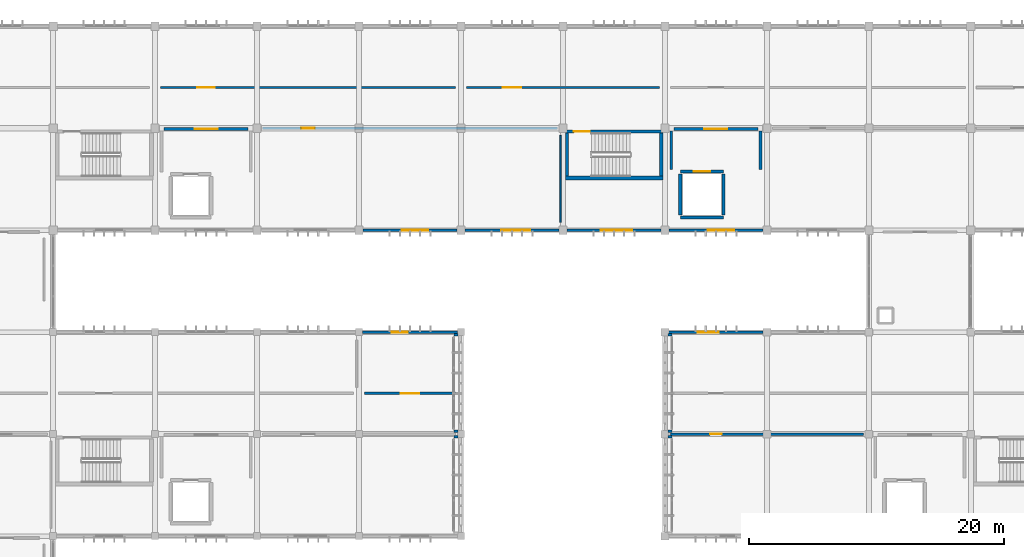
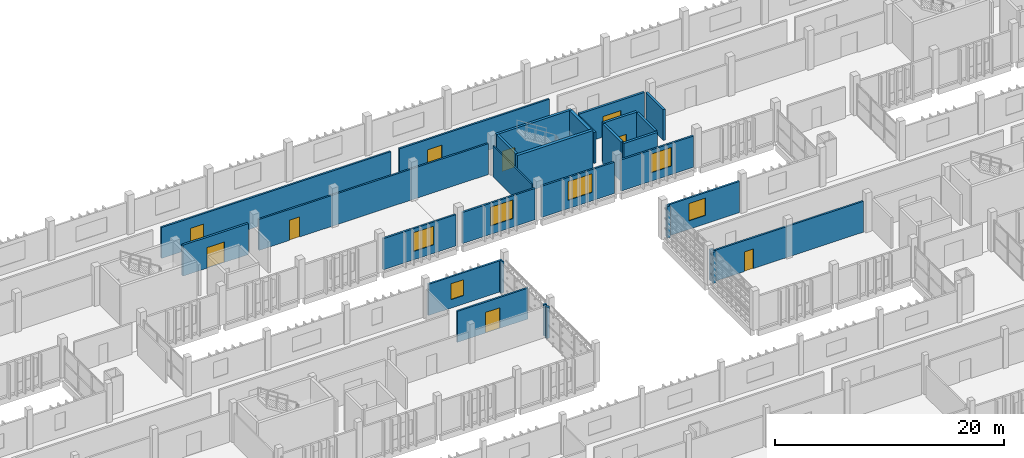
# One storey, part 49 of 63: 30 walls, 9 doors, 6 windows, 15 openings.
"""IFC4 building model written with IfcOpenShell, lengths in metres."""

from ifc_helpers import new_model, si_unit, direction, frame, frame_2d, origin, place, context, subcontext, project, spatial, rectangle, extrude, material, layer, layer_set, type_object, element, fill, save


model = new_model("IFC4")

# Units and contexts
model_context = context("Model", 3, precision=1e-05, world=origin(), true_north=direction((0.0, 1.0)))
body_context = subcontext(model_context, "Body", "Model", "MODEL_VIEW")
ifc_project = project(units=[si_unit("LENGTHUNIT", "METRE"), si_unit("AREAUNIT", "SQUARE_METRE"), si_unit("VOLUMEUNIT", "CUBIC_METRE"), si_unit("PLANEANGLEUNIT", "RADIAN"), si_unit("MASSUNIT", "GRAM", prefix="KILO")], contexts=[model_context])

# Site, building, storey
site_placement = place(None, origin())
site = spatial("IfcSite", under=ifc_project, at=site_placement, CompositionType="ELEMENT")
building_placement = place(site_placement, origin())
building = spatial("IfcBuilding", under=site, at=building_placement, Name="Jelvoka-Kovrelna Polytechnic", CompositionType="ELEMENT")
storey_placement = place(building_placement, frame((0.0, 0.0, 18.0)))
storey = spatial("IfcBuildingStorey", under=building, at=storey_placement, Name="L05", CompositionType="ELEMENT", Elevation=18.0)

# Wall, opening, door
ifc_material_1 = material(Name="Concrete C35/45", Category="concrete")
ifc_layer_1 = layer(ifc_material_1, 0.219970703125)
ifc_layer_set_1 = layer_set([ifc_layer_1], Name="Concrete C35/45")
wall_type_1 = type_object("IfcWallType", Name="Wall_Compartment_220", PredefinedType="PARTITIONING", material=ifc_layer_set_1)
wall_1_placement = place(storey_placement, frame((88.699951171875, 63.949951171875, 0.0), z_axis=(0.0, 0.0, 1.0), x_axis=(1.0, 0.0, 0.0)))
wall_1 = element("IfcWall", 1, at=wall_1_placement, inside=storey, type_object=wall_type_1, Name="L05 interior wall 0296", PredefinedType="PARTITIONING", context=body_context, shape_type="SweptSolid", body=[
    extrude(rectangle(XDim=6.60009765625, YDim=0.219970703125, at=frame_2d((3.300048828125, 0.0))), origin(), (0.0, 0.0, 1.0), 3.300048828125),
])
opening_1_placement = place(wall_1_placement, frame((2.39990234375, 0.0, 0.0)))
opening_1 = element("IfcOpeningElement", 2, at=opening_1_placement, cuts=wall_1, Name="Opening FD-L05-069", PredefinedType="OPENING", context=body_context, shape_type="SweptSolid", body=[
    extrude(rectangle(XDim=1.800048828125, YDim=2.199951171875, at=frame_2d((0.89990234375, 1.10009765625))), frame((0.0, 0.119873046875, 0.0), z_axis=(0.0, -1.0, 0.0), x_axis=(1.0, 0.0, 0.0)), (0.0, 0.0, 1.0), 0.239990234375),
])
ifc_material_2 = material(Name="Paired steel corridor fire door", Category="steel")
door_type_1 = type_object("IfcDoorType", Name="Door_Fire_FD03", OperationType="NOTDEFINED", PredefinedType="DOOR", material=ifc_material_2)
door_1_placement = place(opening_1_placement, origin())
door_1 = element("IfcDoor", 3, at=door_1_placement, inside=storey, type_object=door_type_1, Name="L05 interior door FD-L05-069", OperationType="DOUBLE_DOOR_SINGLE_SWING", OverallHeight=2.199951171875, OverallWidth=1.800048828125, PredefinedType="DOOR", context=body_context, shape_type="SweptSolid", body=[
    extrude(rectangle(XDim=1.800048828125, YDim=2.199951171875, at=frame_2d((0.89990234375, 1.10009765625))), frame((0.0, 0.02490234375, 0.0), z_axis=(0.0, -1.0, 0.0), x_axis=(1.0, 0.0, 0.0)), (0.0, 0.0, 1.0), 0.050048828125),
])
fill(opening_1, door_1)

wall_2_placement = place(storey_placement, frame((128.699951171875, 63.949951171875, 0.0), z_axis=(0.0, 0.0, 1.0), x_axis=(1.0, 0.0, 0.0)))
wall_2 = element("IfcWall", 4, at=wall_2_placement, inside=storey, type_object=wall_type_1, Name="L05 interior wall 0667", PredefinedType="PARTITIONING", context=body_context, shape_type="SweptSolid", body=[
    extrude(rectangle(XDim=6.60009765625, YDim=0.219970703125, at=frame_2d((3.300048828125, 0.0))), origin(), (0.0, 0.0, 1.0), 3.300048828125),
])
opening_2_placement = place(wall_2_placement, frame((2.39990234375, 0.0, 0.0)))
opening_2 = element("IfcOpeningElement", 5, at=opening_2_placement, cuts=wall_2, Name="Opening FD-L05-114", PredefinedType="OPENING", context=body_context, shape_type="SweptSolid", body=[
    extrude(rectangle(XDim=1.800048828125, YDim=2.199951171875, at=frame_2d((0.89990234375, 1.10009765625))), frame((0.0, 0.119873046875, 0.0), z_axis=(0.0, -1.0, 0.0), x_axis=(1.0, 0.0, 0.0)), (0.0, 0.0, 1.0), 0.239990234375),
])
door_2_placement = place(opening_2_placement, origin())
door_2 = element("IfcDoor", 6, at=door_2_placement, inside=storey, type_object=door_type_1, Name="L05 interior door FD-L05-114", OperationType="DOUBLE_DOOR_SINGLE_SWING", OverallHeight=2.199951171875, OverallWidth=1.800048828125, PredefinedType="DOOR", context=body_context, shape_type="SweptSolid", body=[
    extrude(rectangle(XDim=1.800048828125, YDim=2.199951171875, at=frame_2d((0.89990234375, 1.10009765625))), frame((0.0, 0.02490234375, 0.0), z_axis=(0.0, -1.0, 0.0), x_axis=(1.0, 0.0, 0.0)), (0.0, 0.0, 1.0), 0.050048828125),
])
fill(opening_2, door_2)

# Walls
for number, where, z_axis, x_axis, name in (
    (7, (128.5, 60.75, 0.0), (0.0, 0.0, 1.0), (0.0, 1.0, 0.0), "L05 interior wall 0668"),
    (8, (135.5, 60.75, 0.0), (0.0, 0.0, 1.0), (0.0, 1.0, 0.0), "L05 interior wall 0669"),
):
    element("IfcWall", number, at=place(storey_placement, frame(where, z_axis=z_axis, x_axis=x_axis)), inside=storey, type_object=wall_type_1, Name=name, PredefinedType="PARTITIONING", context=body_context, shape_type="SweptSolid", body=[
        extrude(rectangle(XDim=3.050048828125, YDim=0.219970703125, at=frame_2d((1.52490234375, 0.0))), origin(), (0.0, 0.0, 1.0), 3.300048828125),
    ])

# Wall, opening, door
ifc_material_3 = material(Name="Concrete C40/50", Category="concrete")
ifc_layer_2 = layer(ifc_material_3, 0.25)
ifc_layer_set_2 = layer_set([ifc_layer_2], Name="Concrete C40/50")
wall_type_2 = type_object("IfcWallType", Name="Wall_Core_250", PredefinedType="SOLIDWALL", material=ifc_layer_set_2)
wall_3_placement = place(storey_placement, frame((120.199951171875, 63.739990234375, 0.0), z_axis=(0.0, 0.0, 1.0), x_axis=(1.0, 0.0, 0.0)))
wall_3 = element("IfcWall", 9, at=wall_3_placement, inside=storey, type_object=wall_type_2, Name="L05 interior wall 0239", PredefinedType="SOLIDWALL", context=body_context, shape_type="SweptSolid", body=[
    extrude(rectangle(XDim=7.650146484375, YDim=0.25, at=frame_2d((3.8251953125, 0.0))), origin(), (0.0, 0.0, 1.0), 4.199951171875),
])
opening_3_placement = place(wall_3_placement, frame((0.64990234375, 0.0, 0.0)))
opening_3 = element("IfcOpeningElement", 10, at=opening_3_placement, cuts=wall_3, Name="Opening SD-L05-060", PredefinedType="OPENING", context=body_context, shape_type="SweptSolid", body=[
    extrude(rectangle(XDim=1.25, YDim=2.14990234375, at=frame_2d((0.625, 1.074951171875))), frame((0.0, 0.135009765625, 0.0), z_axis=(0.0, -1.0, 0.0), x_axis=(1.0, 0.0, 0.0)), (0.0, 0.0, 1.0), 0.27001953125),
])
ifc_material_4 = material(Name="Powder-coated steel fire door", Category="steel")
door_type_2 = type_object("IfcDoorType", Name="Door_Fire_FD02", OperationType="NOTDEFINED", PredefinedType="DOOR", material=ifc_material_4)
door_3_placement = place(opening_3_placement, origin())
door_3 = element("IfcDoor", 11, at=door_3_placement, inside=storey, type_object=door_type_2, Name="L05 interior door SD-L05-060", OperationType="SINGLE_SWING_LEFT", OverallHeight=2.14990234375, OverallWidth=1.25, PredefinedType="DOOR", context=body_context, shape_type="SweptSolid", body=[
    extrude(rectangle(XDim=1.25, YDim=2.14990234375, at=frame_2d((0.625, 1.074951171875))), frame((0.0, 0.02490234375, 0.0), z_axis=(0.0, -1.0, 0.0), x_axis=(1.0, 0.0, 0.0)), (0.0, 0.0, 1.0), 0.050048828125),
])
fill(opening_3, door_3)

# Walls
wall_4_placement = place(storey_placement, frame((120.324951171875, 60.25, 0.0), z_axis=(0.0, 0.0, 1.0), x_axis=(0.0, 1.0, 0.0)))
element("IfcWall", 12, at=wall_4_placement, inside=storey, type_object=wall_type_2, Name="L05 interior wall 0240", PredefinedType="SOLIDWALL", context=body_context, shape_type="SweptSolid", body=[
    extrude(rectangle(XDim=3.360107421875, YDim=0.25, at=frame_2d((1.68017578125, 0.0))), origin(), (0.0, 0.0, 1.0), 4.199951171875),
])
wall_5_placement = place(storey_placement, frame((129.199951171875, 57.0, 0.0), z_axis=(0.0, 0.0, 1.0), x_axis=(1.0, 0.0, 0.0)))
element("IfcWall", 13, at=wall_5_placement, inside=storey, type_object=wall_type_2, Name="L05 interior wall 0663", PredefinedType="SOLIDWALL", context=body_context, shape_type="SweptSolid", body=[
    extrude(rectangle(XDim=3.400146484375, YDim=0.25, at=frame_2d((1.7001953125, 0.0))), origin(), (0.0, 0.0, 1.0), 4.199951171875),
])

# Wall, opening, door
wall_6_placement = place(storey_placement, frame((129.199951171875, 60.60009765625, 0.0), z_axis=(0.0, 0.0, 1.0), x_axis=(1.0, 0.0, 0.0)))
wall_6 = element("IfcWall", 14, at=wall_6_placement, inside=storey, type_object=wall_type_2, Name="L05 interior wall 0664", PredefinedType="SOLIDWALL", context=body_context, shape_type="SweptSolid", body=[
    extrude(rectangle(XDim=3.400146484375, YDim=0.25, at=frame_2d((1.7001953125, 0.0))), origin(), (0.0, 0.0, 1.0), 4.199951171875),
])
opening_4_placement = place(wall_6_placement, frame((1.050048828125, 0.0, 0.0)))
opening_4 = element("IfcOpeningElement", 15, at=opening_4_placement, cuts=wall_6, Name="Opening LD-L05-51", PredefinedType="OPENING", context=body_context, shape_type="SweptSolid", body=[
    extrude(rectangle(XDim=1.300048828125, YDim=2.199951171875, at=frame_2d((0.64990234375, 1.10009765625))), frame((0.0, 0.135009765625, 0.0), z_axis=(0.0, -1.0, 0.0), x_axis=(1.0, 0.0, 0.0)), (0.0, 0.0, 1.0), 0.27001953125),
])
ifc_material_5 = material(Name="Heavy-duty stainless goods lift landing door", Category="wood")
door_type_3 = type_object("IfcDoorType", Name="Door_Lift_LD02", OperationType="NOTDEFINED", PredefinedType="DOOR", material=ifc_material_5)
door_4_placement = place(opening_4_placement, origin())
door_4 = element("IfcDoor", 16, at=door_4_placement, inside=storey, type_object=door_type_3, Name="L05 lift landing sliding door LD-L05-51", OperationType="DOUBLE_DOOR_SLIDING", OverallHeight=2.199951171875, OverallWidth=1.300048828125, PredefinedType="DOOR", context=body_context, shape_type="SweptSolid", body=[
    extrude(rectangle(XDim=1.300048828125, YDim=2.199951171875, at=frame_2d((0.64990234375, 1.10009765625))), frame((0.0, 0.02490234375, 0.0), z_axis=(0.0, -1.0, 0.0), x_axis=(1.0, 0.0, 0.0)), (0.0, 0.0, 1.0), 0.050048828125),
])
fill(opening_4, door_4)

# Walls
for number, where, z_axis, x_axis, name in (
    (17, (129.199951171875, 57.199951171875, 0.0), (0.0, 0.0, 1.0), (0.0, 1.0, 0.0), "L05 interior wall 0665"),
    (18, (132.60009765625, 57.199951171875, 0.0), (0.0, 0.0, 1.0), (0.0, 1.0, 0.0), "L05 interior wall 0666"),
):
    element("IfcWall", number, at=place(storey_placement, frame(where, z_axis=z_axis, x_axis=x_axis)), inside=storey, type_object=wall_type_2, Name=name, PredefinedType="SOLIDWALL", context=body_context, shape_type="SweptSolid", body=[
        extrude(rectangle(XDim=3.199951171875, YDim=0.25, at=frame_2d((1.60009765625, 0.0))), origin(), (0.0, 0.0, 1.0), 4.199951171875),
    ])

# Wall, opening, door
ifc_material_6 = material(Name="Autoclaved aerated concrete blockwork", Category="masonry")
ifc_layer_3 = layer(ifc_material_6, 0.179931640625)
ifc_layer_set_3 = layer_set([ifc_layer_3], Name="Autoclaved aerated concrete blockwork")
wall_type_3 = type_object("IfcWallType", Name="Wall_Corridor_180", PredefinedType="PARTITIONING", material=ifc_layer_set_3)
wall_7_placement = place(storey_placement, frame((104.429931640625, 43.199951171875, 0.0), z_axis=(0.0, 0.0, 1.0), x_axis=(1.0, 0.0, 0.0)))
wall_7 = element("IfcWall", 19, at=wall_7_placement, inside=storey, type_object=wall_type_3, Name="L05 interior wall 1195", PredefinedType="PARTITIONING", context=body_context, shape_type="SweptSolid", body=[
    extrude(rectangle(XDim=7.14013671875, YDim=0.179931640625, at=frame_2d((3.570068359375, 0.0))), origin(), (0.0, 0.0, 1.0), 3.300048828125),
])
opening_5_placement = place(wall_7_placement, frame((2.85009765625, 0.0, 0.0)))
opening_5 = element("IfcOpeningElement", 20, at=opening_5_placement, cuts=wall_7, Name="Opening D-L05-386", PredefinedType="OPENING", context=body_context, shape_type="SweptSolid", body=[
    extrude(rectangle(XDim=1.43994140625, YDim=2.199951171875, at=frame_2d((0.719970703125, 1.10009765625))), frame((0.0, 0.099853515625, 0.0), z_axis=(0.0, -1.0, 0.0), x_axis=(1.0, 0.0, 0.0)), (0.0, 0.0, 1.0), 0.199951171875),
])
ifc_material_7 = material(Name="Paired hardwood fire-resisting lab door", Category="wood")
door_type_4 = type_object("IfcDoorType", Name="Door_Fire_FD30_06", OperationType="NOTDEFINED", PredefinedType="DOOR", material=ifc_material_7)
door_5_placement = place(opening_5_placement, origin())
door_5 = element("IfcDoor", 21, at=door_5_placement, inside=storey, type_object=door_type_4, Name="L05 interior door D-L05-386", OperationType="DOUBLE_DOOR_SINGLE_SWING", OverallHeight=2.199951171875, OverallWidth=1.43994140625, PredefinedType="DOOR", context=body_context, shape_type="SweptSolid", body=[
    extrude(rectangle(XDim=1.43994140625, YDim=2.199951171875, at=frame_2d((0.719970703125, 1.10009765625))), frame((0.0, 0.02490234375, 0.0), z_axis=(0.0, -1.0, 0.0), x_axis=(1.0, 0.0, 0.0)), (0.0, 0.0, 1.0), 0.050048828125),
])
fill(opening_5, door_5)

wall_8_placement = place(storey_placement, frame((128.429931640625, 40.0, 0.0), z_axis=(0.0, 0.0, 1.0), x_axis=(1.0, 0.0, 0.0)))
wall_8 = element("IfcWall", 22, at=wall_8_placement, inside=storey, type_object=wall_type_3, Name="L05 interior wall 1196", PredefinedType="PARTITIONING", context=body_context, shape_type="SweptSolid", body=[
    extrude(rectangle(XDim=15.14013671875, YDim=0.179931640625, at=frame_2d((7.570068359375, 0.0))), origin(), (0.0, 0.0, 1.0), 3.300048828125),
])
opening_6_placement = place(wall_8_placement, frame((3.1201171875, 0.0, 0.0)))
opening_6 = element("IfcOpeningElement", 23, at=opening_6_placement, cuts=wall_8, Name="Opening D-L05-387", PredefinedType="OPENING", context=body_context, shape_type="SweptSolid", body=[
    extrude(rectangle(XDim=0.89990234375, YDim=2.10009765625, at=frame_2d((0.449951171875, 1.050048828125))), frame((0.0, 0.099853515625, 0.0), z_axis=(0.0, -1.0, 0.0), x_axis=(1.0, 0.0, 0.0)), (0.0, 0.0, 1.0), 0.199951171875),
])
ifc_material_8 = material(Name="Hardwood solid-core door", Category="wood")
door_type_5 = type_object("IfcDoorType", Name="Door_Int_D01", OperationType="NOTDEFINED", PredefinedType="DOOR", material=ifc_material_8)
door_6_placement = place(opening_6_placement, origin())
door_6 = element("IfcDoor", 24, at=door_6_placement, inside=storey, type_object=door_type_5, Name="L05 interior door D-L05-387", OperationType="SINGLE_SWING_LEFT", OverallHeight=2.10009765625, OverallWidth=0.89990234375, PredefinedType="DOOR", context=body_context, shape_type="SweptSolid", body=[
    extrude(rectangle(XDim=0.89990234375, YDim=2.10009765625, at=frame_2d((0.449951171875, 1.050048828125))), frame((0.0, 0.02490234375, 0.0), z_axis=(0.0, -1.0, 0.0), x_axis=(1.0, 0.0, 0.0)), (0.0, 0.0, 1.0), 0.050048828125),
])
fill(opening_6, door_6)

wall_9_placement = place(storey_placement, frame((96.429931640625, 64.0, 0.0), z_axis=(0.0, 0.0, 1.0), x_axis=(1.0, 0.0, 0.0)))
wall_9 = element("IfcWall", 25, at=wall_9_placement, inside=storey, type_object=wall_type_3, Name="L05 interior wall 1204", PredefinedType="PARTITIONING", context=body_context, shape_type="SweptSolid", body=[
    extrude(rectangle(XDim=23.14013671875, YDim=0.179931640625, at=frame_2d((11.570068359375, 0.0))), origin(), (0.0, 0.0, 1.0), 3.300048828125),
])
opening_7_placement = place(wall_9_placement, frame((3.050048828125, 0.0, 0.0)))
opening_7 = element("IfcOpeningElement", 26, at=opening_7_placement, cuts=wall_9, Name="Opening D-L05-394", PredefinedType="OPENING", context=body_context, shape_type="SweptSolid", body=[
    extrude(rectangle(XDim=1.0400390625, YDim=2.14990234375, at=frame_2d((0.52001953125, 1.074951171875))), frame((0.0, 0.099853515625, 0.0), z_axis=(0.0, -1.0, 0.0), x_axis=(1.0, 0.0, 0.0)), (0.0, 0.0, 1.0), 0.199951171875),
])
ifc_material_9 = material(Name="Hardwood acoustic seminar door", Category="wood")
door_type_6 = type_object("IfcDoorType", Name="Door_Int_D09", OperationType="NOTDEFINED", PredefinedType="DOOR", material=ifc_material_9)
door_7_placement = place(opening_7_placement, origin())
door_7 = element("IfcDoor", 27, at=door_7_placement, inside=storey, type_object=door_type_6, Name="L05 interior door D-L05-394", OperationType="SINGLE_SWING_LEFT", OverallHeight=2.14990234375, OverallWidth=1.0400390625, PredefinedType="DOOR", context=body_context, shape_type="SweptSolid", body=[
    extrude(rectangle(XDim=1.0400390625, YDim=2.14990234375, at=frame_2d((0.52001953125, 1.074951171875))), frame((0.0, 0.02490234375, 0.0), z_axis=(0.0, -1.0, 0.0), x_axis=(1.0, 0.0, 0.0)), (0.0, 0.0, 1.0), 0.050048828125),
])
fill(opening_7, door_7)

wall_10_placement = place(storey_placement, frame((88.429931640625, 67.199951171875, 0.0), z_axis=(0.0, 0.0, 1.0), x_axis=(1.0, 0.0, 0.0)))
wall_10 = element("IfcWall", 28, at=wall_10_placement, inside=storey, type_object=wall_type_3, Name="L05 interior wall 1210", PredefinedType="PARTITIONING", context=body_context, shape_type="SweptSolid", body=[
    extrude(rectangle(XDim=23.14013671875, YDim=0.179931640625, at=frame_2d((11.570068359375, 0.0))), origin(), (0.0, 0.0, 1.0), 3.300048828125),
])
opening_8_placement = place(wall_10_placement, frame((2.89501953125, 0.0, 0.0)))
opening_8 = element("IfcOpeningElement", 29, at=opening_8_placement, cuts=wall_10, Name="Opening D-L05-399", PredefinedType="OPENING", context=body_context, shape_type="SweptSolid", body=[
    extrude(rectangle(XDim=1.35009765625, YDim=2.199951171875, at=frame_2d((0.675048828125, 1.10009765625))), frame((0.0, 0.099853515625, 0.0), z_axis=(0.0, -1.0, 0.0), x_axis=(1.0, 0.0, 0.0)), (0.0, 0.0, 1.0), 0.199951171875),
])
ifc_material_10 = material(Name="Studio wide leaf door", Category="wood")
door_type_7 = type_object("IfcDoorType", Name="Door_Int_D15", OperationType="NOTDEFINED", PredefinedType="DOOR", material=ifc_material_10)
door_8_placement = place(opening_8_placement, origin())
door_8 = element("IfcDoor", 30, at=door_8_placement, inside=storey, type_object=door_type_7, Name="L05 interior door D-L05-399", OperationType="SINGLE_SWING_RIGHT", OverallHeight=2.199951171875, OverallWidth=1.35009765625, PredefinedType="DOOR", context=body_context, shape_type="SweptSolid", body=[
    extrude(rectangle(XDim=1.35009765625, YDim=2.199951171875, at=frame_2d((0.675048828125, 1.10009765625))), frame((0.0, 0.02490234375, 0.0), z_axis=(0.0, -1.0, 0.0), x_axis=(1.0, 0.0, 0.0)), (0.0, 0.0, 1.0), 0.050048828125),
])
fill(opening_8, door_8)

wall_11_placement = place(storey_placement, frame((112.429931640625, 67.199951171875, 0.0), z_axis=(0.0, 0.0, 1.0), x_axis=(1.0, 0.0, 0.0)))
wall_11 = element("IfcWall", 31, at=wall_11_placement, inside=storey, type_object=wall_type_3, Name="L05 interior wall 1211", PredefinedType="PARTITIONING", context=body_context, shape_type="SweptSolid", body=[
    extrude(rectangle(XDim=15.14013671875, YDim=0.179931640625, at=frame_2d((7.570068359375, 0.0))), origin(), (0.0, 0.0, 1.0), 3.300048828125),
])
opening_9_placement = place(wall_11_placement, frame((2.860107421875, 0.0, 0.0)))
opening_9 = element("IfcOpeningElement", 32, at=opening_9_placement, cuts=wall_11, Name="Opening D-L05-400", PredefinedType="OPENING", context=body_context, shape_type="SweptSolid", body=[
    extrude(rectangle(XDim=1.419921875, YDim=2.199951171875, at=frame_2d((0.7099609375, 1.10009765625))), frame((0.0, 0.099853515625, 0.0), z_axis=(0.0, -1.0, 0.0), x_axis=(1.0, 0.0, 0.0)), (0.0, 0.0, 1.0), 0.199951171875),
])
ifc_material_11 = material(Name="Paired laboratory equipment door", Category="wood")
door_type_8 = type_object("IfcDoorType", Name="Door_Int_D16", OperationType="NOTDEFINED", PredefinedType="DOOR", material=ifc_material_11)
door_9_placement = place(opening_9_placement, origin())
door_9 = element("IfcDoor", 33, at=door_9_placement, inside=storey, type_object=door_type_8, Name="L05 interior door D-L05-400", OperationType="DOUBLE_DOOR_SINGLE_SWING", OverallHeight=2.199951171875, OverallWidth=1.419921875, PredefinedType="DOOR", context=body_context, shape_type="SweptSolid", body=[
    extrude(rectangle(XDim=1.419921875, YDim=2.199951171875, at=frame_2d((0.7099609375, 1.10009765625))), frame((0.0, 0.02490234375, 0.0), z_axis=(0.0, -1.0, 0.0), x_axis=(1.0, 0.0, 0.0)), (0.0, 0.0, 1.0), 0.050048828125),
])
fill(opening_9, door_9)

# Wall, opening, window
ifc_material_12 = material(Name="Precast concrete C40/50", Category="concrete")
ifc_layer_4 = layer(ifc_material_12, 0.18505859375)
ifc_layer_set_4 = layer_set([ifc_layer_4], Name="Precast concrete C40/50")
wall_type_4 = type_object("IfcWallType", Name="Wall_Ext_White_260", PredefinedType="STANDARD", material=ifc_layer_set_4)
wall_12_placement = place(storey_placement, frame((104.27197265625, 48.0, 0.0), z_axis=(0.0, 0.0, 1.0), x_axis=(1.0, 0.0, 0.0)))
wall_12 = element("IfcWall", 34, at=wall_12_placement, inside=storey, type_object=wall_type_4, Name="L05 exterior wall 0423", PredefinedType="STANDARD", context=body_context, shape_type="SweptSolid", body=[
    extrude(rectangle(XDim=7.4560546875, YDim=0.18505859375, at=frame_2d((3.72802734375, 0.0))), origin(), (0.0, 0.0, 1.0), 3.3349609375),
])
opening_10_placement = place(wall_12_placement, frame((2.30810546875, 0.0, 0.89990234375)))
opening_10 = element("IfcOpeningElement", 35, at=opening_10_placement, cuts=wall_12, Name="Opening W-L05-156", PredefinedType="OPENING", context=body_context, shape_type="SweptSolid", body=[
    extrude(rectangle(XDim=1.25, YDim=1.699951171875, at=frame_2d((0.625, 0.85009765625))), frame((0.0, 0.1025390625, 0.0), z_axis=(0.0, -1.0, 0.0), x_axis=(1.0, 0.0, 0.0)), (0.0, 0.0, 1.0), 0.205078125),
])
ifc_material_13 = material(Name="Thermally broken anodised aluminium and low-e glazing", Category="aluminium")
window_type_1 = type_object("IfcWindowType", Name="Win_Casement_W32", PartitioningType="SINGLE_PANEL", PredefinedType="WINDOW", material=ifc_material_13)
window_1_placement = place(opening_10_placement, origin())
window_1 = element("IfcWindow", 36, at=window_1_placement, inside=storey, type_object=window_type_1, Name="L05 aluminium casement window W-L05-156", OverallHeight=1.699951171875, OverallWidth=1.25, PartitioningType="SINGLE_PANEL", PredefinedType="WINDOW", context=body_context, shape_type="SweptSolid", body=[
    extrude(rectangle(XDim=1.25, YDim=1.699951171875, at=frame_2d((0.625, 0.85009765625))), frame((0.0, 0.030029296875, 0.0), z_axis=(0.0, -1.0, 0.0), x_axis=(1.0, 0.0, 0.0)), (0.0, 0.0, 1.0), 0.06005859375),
])
fill(opening_10, window_1)

wall_13_placement = place(storey_placement, frame((128.297119140625, 48.0, 0.0), z_axis=(0.0, 0.0, 1.0), x_axis=(1.0, 0.0, 0.0)))
wall_13 = element("IfcWall", 37, at=wall_13_placement, inside=storey, type_object=wall_type_4, Name="L05 exterior wall 0507", PredefinedType="STANDARD", context=body_context, shape_type="SweptSolid", body=[
    extrude(rectangle(XDim=7.40576171875, YDim=0.18505859375, at=frame_2d((3.702880859375, 0.0))), origin(), (0.0, 0.0, 1.0), 3.3349609375),
])
opening_11_placement = place(wall_13_placement, frame((2.282958984375, 0.0, 0.89990234375)))
opening_11 = element("IfcOpeningElement", 38, at=opening_11_placement, cuts=wall_13, Name="Opening W-L05-206", PredefinedType="OPENING", context=body_context, shape_type="SweptSolid", body=[
    extrude(rectangle(XDim=1.64990234375, YDim=1.85009765625, at=frame_2d((0.824951171875, 0.925048828125))), frame((0.0, 0.1025390625, 0.0), z_axis=(0.0, -1.0, 0.0), x_axis=(1.0, 0.0, 0.0)), (0.0, 0.0, 1.0), 0.205078125),
])
ifc_material_14 = material(Name="Thermally broken anodised aluminium and low-e glazing", Category="aluminium")
window_type_2 = type_object("IfcWindowType", Name="Win_Casement_W44", PartitioningType="DOUBLE_PANEL_VERTICAL", PredefinedType="WINDOW", material=ifc_material_14)
window_2_placement = place(opening_11_placement, origin())
window_2 = element("IfcWindow", 39, at=window_2_placement, inside=storey, type_object=window_type_2, Name="L05 aluminium casement window W-L05-206", OverallHeight=1.85009765625, OverallWidth=1.64990234375, PartitioningType="DOUBLE_PANEL_VERTICAL", PredefinedType="WINDOW", context=body_context, shape_type="SweptSolid", body=[
    extrude(rectangle(XDim=1.64990234375, YDim=1.85009765625, at=frame_2d((0.824951171875, 0.925048828125))), frame((0.0, 0.030029296875, 0.0), z_axis=(0.0, -1.0, 0.0), x_axis=(1.0, 0.0, 0.0)), (0.0, 0.0, 1.0), 0.06005859375),
])
fill(opening_11, window_2)

wall_14_placement = place(storey_placement, frame((111.677978515625, 56.0, 0.0), z_axis=(0.0, 0.0, 1.0), x_axis=(-1.0, 0.0, 0.0)))
wall_14 = element("IfcWall", 40, at=wall_14_placement, inside=storey, type_object=wall_type_4, Name="L05 exterior wall 0722", PredefinedType="STANDARD", context=body_context, shape_type="SweptSolid", body=[
    extrude(rectangle(XDim=7.35595703125, YDim=0.18505859375, at=frame_2d((3.677978515625, 0.0))), origin(), (0.0, 0.0, 1.0), 3.3349609375),
])
opening_12_placement = place(wall_14_placement, frame((2.258056640625, 0.0, 0.89990234375)))
opening_12 = element("IfcOpeningElement", 41, at=opening_12_placement, cuts=wall_14, Name="Opening W-L05-384", PredefinedType="OPENING", context=body_context, shape_type="SweptSolid", body=[
    extrude(rectangle(XDim=2.050048828125, YDim=2.0, at=frame_2d((1.02490234375, 1.0))), frame((0.0, 0.1025390625, 0.0), z_axis=(0.0, -1.0, 0.0), x_axis=(1.0, 0.0, 0.0)), (0.0, 0.0, 1.0), 0.205078125),
])
ifc_material_15 = material(Name="Thermally broken anodised aluminium and low-e glazing", Category="aluminium")
window_type_3 = type_object("IfcWindowType", Name="Win_Casement_W56", PartitioningType="DOUBLE_PANEL_VERTICAL", PredefinedType="WINDOW", material=ifc_material_15)
window_3_placement = place(opening_12_placement, origin())
window_3 = element("IfcWindow", 42, at=window_3_placement, inside=storey, type_object=window_type_3, Name="L05 aluminium casement window W-L05-384", OverallHeight=2.0, OverallWidth=2.050048828125, PartitioningType="DOUBLE_PANEL_VERTICAL", PredefinedType="WINDOW", context=body_context, shape_type="SweptSolid", body=[
    extrude(rectangle(XDim=2.050048828125, YDim=2.0, at=frame_2d((1.02490234375, 1.0))), frame((0.0, 0.030029296875, 0.0), z_axis=(0.0, -1.0, 0.0), x_axis=(1.0, 0.0, 0.0)), (0.0, 0.0, 1.0), 0.06005859375),
])
fill(opening_12, window_3)

wall_15_placement = place(storey_placement, frame((119.677978515625, 56.0, 0.0), z_axis=(0.0, 0.0, 1.0), x_axis=(-1.0, 0.0, 0.0)))
wall_15 = element("IfcWall", 43, at=wall_15_placement, inside=storey, type_object=wall_type_4, Name="L05 exterior wall 0724", PredefinedType="STANDARD", context=body_context, shape_type="SweptSolid", body=[
    extrude(rectangle(XDim=7.35595703125, YDim=0.18505859375, at=frame_2d((3.677978515625, 0.0))), origin(), (0.0, 0.0, 1.0), 3.3349609375),
])
opening_13_placement = place(wall_15_placement, frame((2.258056640625, 0.0, 0.89990234375)))
opening_13 = element("IfcOpeningElement", 44, at=opening_13_placement, cuts=wall_15, Name="Opening W-L05-386", PredefinedType="OPENING", context=body_context, shape_type="SweptSolid", body=[
    extrude(rectangle(XDim=2.25, YDim=2.0, at=frame_2d((1.125, 1.0))), frame((0.0, 0.1025390625, 0.0), z_axis=(0.0, -1.0, 0.0), x_axis=(1.0, 0.0, 0.0)), (0.0, 0.0, 1.0), 0.205078125),
])
ifc_material_16 = material(Name="Thermally broken anodised aluminium and low-e glazing", Category="aluminium")
window_type_4 = type_object("IfcWindowType", Name="Win_Casement_W57", PartitioningType="DOUBLE_PANEL_VERTICAL", PredefinedType="WINDOW", material=ifc_material_16)
window_4_placement = place(opening_13_placement, origin())
window_4 = element("IfcWindow", 45, at=window_4_placement, inside=storey, type_object=window_type_4, Name="L05 aluminium casement window W-L05-386", OverallHeight=2.0, OverallWidth=2.25, PartitioningType="DOUBLE_PANEL_VERTICAL", PredefinedType="WINDOW", context=body_context, shape_type="SweptSolid", body=[
    extrude(rectangle(XDim=2.25, YDim=2.0, at=frame_2d((1.125, 1.0))), frame((0.0, 0.030029296875, 0.0), z_axis=(0.0, -1.0, 0.0), x_axis=(1.0, 0.0, 0.0)), (0.0, 0.0, 1.0), 0.06005859375),
])
fill(opening_13, window_4)

wall_16_placement = place(storey_placement, frame((127.677978515625, 56.0, 0.0), z_axis=(0.0, 0.0, 1.0), x_axis=(-1.0, 0.0, 0.0)))
wall_16 = element("IfcWall", 46, at=wall_16_placement, inside=storey, type_object=wall_type_4, Name="L05 exterior wall 0726", PredefinedType="STANDARD", context=body_context, shape_type="SweptSolid", body=[
    extrude(rectangle(XDim=7.35595703125, YDim=0.18505859375, at=frame_2d((3.677978515625, 0.0))), origin(), (0.0, 0.0, 1.0), 3.3349609375),
])
opening_14_placement = place(wall_16_placement, frame((2.258056640625, 0.0, 0.89990234375)))
opening_14 = element("IfcOpeningElement", 47, at=opening_14_placement, cuts=wall_16, Name="Opening W-L05-388", PredefinedType="OPENING", context=body_context, shape_type="SweptSolid", body=[
    extrude(rectangle(XDim=2.449951171875, YDim=2.0, at=frame_2d((1.22509765625, 1.0))), frame((0.0, 0.1025390625, 0.0), z_axis=(0.0, -1.0, 0.0), x_axis=(1.0, 0.0, 0.0)), (0.0, 0.0, 1.0), 0.205078125),
])
ifc_material_17 = material(Name="Thermally broken anodised aluminium and low-e glazing", Category="aluminium")
window_type_5 = type_object("IfcWindowType", Name="Win_Casement_W58", PartitioningType="DOUBLE_PANEL_VERTICAL", PredefinedType="WINDOW", material=ifc_material_17)
window_5_placement = place(opening_14_placement, origin())
window_5 = element("IfcWindow", 48, at=window_5_placement, inside=storey, type_object=window_type_5, Name="L05 aluminium casement window W-L05-388", OverallHeight=2.0, OverallWidth=2.449951171875, PartitioningType="DOUBLE_PANEL_VERTICAL", PredefinedType="WINDOW", context=body_context, shape_type="SweptSolid", body=[
    extrude(rectangle(XDim=2.449951171875, YDim=2.0, at=frame_2d((1.22509765625, 1.0))), frame((0.0, 0.030029296875, 0.0), z_axis=(0.0, -1.0, 0.0), x_axis=(1.0, 0.0, 0.0)), (0.0, 0.0, 1.0), 0.06005859375),
])
fill(opening_14, window_5)

wall_17_placement = place(storey_placement, frame((135.677978515625, 56.0, 0.0), z_axis=(0.0, 0.0, 1.0), x_axis=(-1.0, 0.0, 0.0)))
wall_17 = element("IfcWall", 49, at=wall_17_placement, inside=storey, type_object=wall_type_4, Name="L05 exterior wall 0728", PredefinedType="STANDARD", context=body_context, shape_type="SweptSolid", body=[
    extrude(rectangle(XDim=7.35595703125, YDim=0.18505859375, at=frame_2d((3.677978515625, 0.0))), origin(), (0.0, 0.0, 1.0), 3.3349609375),
])
opening_15_placement = place(wall_17_placement, frame((2.258056640625, 0.0, 0.89990234375)))
opening_15 = element("IfcOpeningElement", 50, at=opening_15_placement, cuts=wall_17, Name="Opening W-L05-390", PredefinedType="OPENING", context=body_context, shape_type="SweptSolid", body=[
    extrude(rectangle(XDim=2.050048828125, YDim=2.0, at=frame_2d((1.02490234375, 1.0))), frame((0.0, 0.1025390625, 0.0), z_axis=(0.0, -1.0, 0.0), x_axis=(1.0, 0.0, 0.0)), (0.0, 0.0, 1.0), 0.205078125),
])
window_6_placement = place(opening_15_placement, origin())
window_6 = element("IfcWindow", 51, at=window_6_placement, inside=storey, type_object=window_type_3, Name="L05 aluminium casement window W-L05-390", OverallHeight=2.0, OverallWidth=2.050048828125, PartitioningType="DOUBLE_PANEL_VERTICAL", PredefinedType="WINDOW", context=body_context, shape_type="SweptSolid", body=[
    extrude(rectangle(XDim=2.050048828125, YDim=2.0, at=frame_2d((1.02490234375, 1.0))), frame((0.0, 0.030029296875, 0.0), z_axis=(0.0, -1.0, 0.0), x_axis=(1.0, 0.0, 0.0)), (0.0, 0.0, 1.0), 0.06005859375),
])
fill(opening_15, window_6)

# Walls
ifc_material_18 = material(Name="Precast concrete C40/50", Category="concrete")
ifc_layer_5 = layer(ifc_material_18, 0.199951171875)
ifc_layer_set_5 = layer_set([ifc_layer_5], Name="Precast concrete C40/50")
wall_type_5 = type_object("IfcWallType", Name="Wall_Parapet_200", PredefinedType="PARAPET", material=ifc_layer_set_5)
for number, where, z_axis, x_axis, name in (
    (52, (111.760009765625, 39.780029296875, 0.0), (0.0, 0.0, 1.0), (-1.0, 0.0, 0.0), "L05 exterior wall 0425"),
    (53, (111.760009765625, 40.219970703125, 0.0), (0.0, 0.0, 1.0), (-1.0, 0.0, 0.0), "L05 exterior wall 0426"),
    (54, (111.760009765625, 47.780029296875, 0.0), (0.0, 0.0, 1.0), (-1.0, 0.0, 0.0), "L05 exterior wall 0427"),
    (55, (128.239990234375, 39.780029296875, 0.0), (0.0, 0.0, 1.0), (1.0, 0.0, 0.0), "L05 exterior wall 0523"),
    (56, (128.239990234375, 40.219970703125, 0.0), (0.0, 0.0, 1.0), (1.0, 0.0, 0.0), "L05 exterior wall 0524"),
    (57, (128.239990234375, 47.780029296875, 0.0), (0.0, 0.0, 1.0), (1.0, 0.0, 0.0), "L05 exterior wall 0525"),
):
    element("IfcWall", number, at=place(storey_placement, frame(where, z_axis=z_axis, x_axis=x_axis)), inside=storey, type_object=wall_type_5, Name=name, PredefinedType="PARAPET", context=body_context, shape_type="SweptSolid", body=[
        extrude(rectangle(XDim=0.320068359375, YDim=0.199951171875, at=frame_2d((0.16015625, 0.0))), origin(), (0.0, 0.0, 1.0), 3.35009765625),
    ])
ifc_material_19 = material(Name="Acoustic gypsum stud partition")
ifc_layer_6 = layer(ifc_material_19, 0.125)
ifc_layer_set_6 = layer_set([ifc_layer_6], Name="Acoustic gypsum stud partition")
wall_type_6 = type_object("IfcWallType", Name="Wall_Partition_125", PredefinedType="PARTITIONING", material=ifc_layer_set_6)
wall_18_placement = place(storey_placement, frame((119.820068359375, 56.6201171875, 0.0), z_axis=(0.0, 0.0, 1.0), x_axis=(0.0, 1.0, 0.0)))
element("IfcWall", 58, at=wall_18_placement, inside=storey, type_object=wall_type_6, Name="L05 interior wall 1205", PredefinedType="PARTITIONING", context=body_context, shape_type="SweptSolid", body=[
    extrude(rectangle(XDim=6.809814453125, YDim=0.125, at=frame_2d((3.40478515625, 0.0))), origin(), (0.0, 0.0, 1.0), 3.300048828125),
])
ifc_material_20 = material(Name="Concrete C40/50", Category="concrete")
ifc_layer_7 = layer(ifc_material_20, 0.300048828125)
ifc_layer_set_7 = layer_set([ifc_layer_7], Name="Concrete C40/50")
wall_type_7 = type_object("IfcWallType", Name="Wall_Shear_300", PredefinedType="SHEAR", material=ifc_layer_set_7)
wall_19_placement = place(storey_placement, frame((120.199951171875, 60.090087890625, 0.0), z_axis=(0.0, 0.0, 1.0), x_axis=(1.0, 0.0, 0.0)))
element("IfcWall", 59, at=wall_19_placement, inside=storey, type_object=wall_type_7, Name="L05 interior wall 0237", PredefinedType="SHEAR", context=body_context, shape_type="SweptSolid", body=[
    extrude(rectangle(XDim=7.650146484375, YDim=0.300048828125, at=frame_2d((3.8251953125, 0.0))), origin(), (0.0, 0.0, 1.0), 4.199951171875),
])
wall_20_placement = place(storey_placement, frame((127.7099609375, 60.25, 0.0), z_axis=(0.0, 0.0, 1.0), x_axis=(0.0, 1.0, 0.0)))
element("IfcWall", 60, at=wall_20_placement, inside=storey, type_object=wall_type_7, Name="L05 interior wall 0238", PredefinedType="SHEAR", context=body_context, shape_type="SweptSolid", body=[
    extrude(rectangle(XDim=3.360107421875, YDim=0.300048828125, at=frame_2d((1.68017578125, 0.0))), origin(), (0.0, 0.0, 1.0), 4.199951171875),
])

save(model, "model.ifc")
